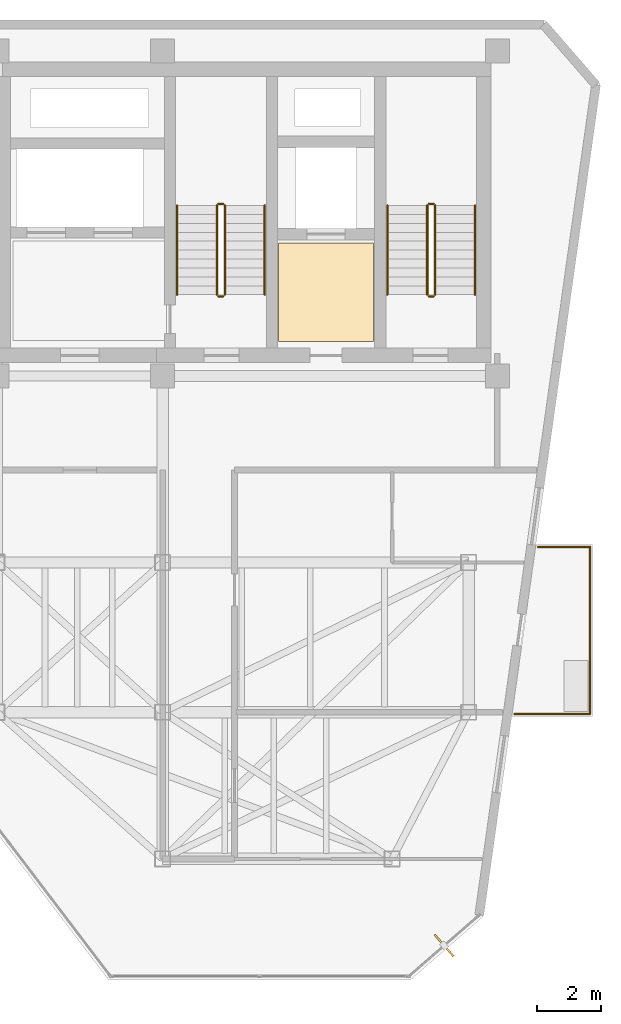
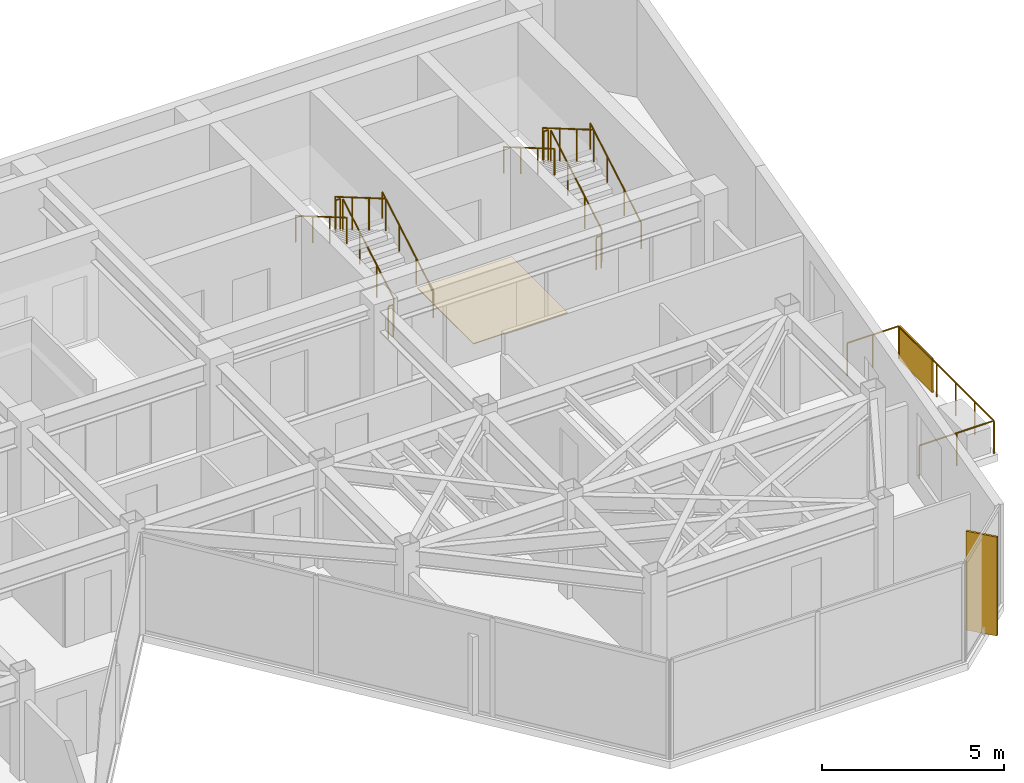
# One storey, part 19 of 19: 15 railings, 2 shading devices, 1 covering.
"""IFC4 building model written with IfcOpenShell, lengths in metres."""

from ifc_helpers import new_model, si_unit, direction, frame, origin, origin_2d, place, context, subcontext, project, spatial, polyline, rectangle, circle, outline, extrude, material, layer, layer_set, type_object, element, save


model = new_model("IFC4")

# Units and contexts
model_context = context("Model", 3, precision=1e-05, world=origin(), true_north=direction((0.0, 1.0)))
body_context = subcontext(model_context, "Body", "Model", "MODEL_VIEW")
ifc_project = project(units=[si_unit("LENGTHUNIT", "METRE"), si_unit("AREAUNIT", "SQUARE_METRE"), si_unit("VOLUMEUNIT", "CUBIC_METRE"), si_unit("PLANEANGLEUNIT", "RADIAN"), si_unit("MASSUNIT", "GRAM", prefix="KILO")], contexts=[model_context])

# Site, building, storey
site_placement = place(None, origin())
site = spatial("IfcSite", under=ifc_project, at=site_placement, CompositionType="ELEMENT")
building_placement = place(site_placement, origin())
building = spatial("IfcBuilding", under=site, at=building_placement, Name="Kravanh Interchange Tower", CompositionType="ELEMENT")
storey_placement = place(building_placement, frame((0.0, 0.0, 274.199951171875)))
storey = spatial("IfcBuildingStorey", under=building, at=storey_placement, Name="L67", CompositionType="ELEMENT", Elevation=274.199951171875)

# Covering
ifc_material_1 = material(Name="Cementitious Terrazzo Tile")
ifc_layer_1 = layer(ifc_material_1, 0.030029296875)
ifc_layer_set_1 = layer_set([ifc_layer_1], Name="Honed Terrazzo Lobby Flooring 30mm")
covering_type = type_object("IfcCoveringType", Name="Honed Terrazzo Lobby Flooring 30mm", PredefinedType="FLOORING", material=ifc_layer_set_1)
covering_placement = place(storey_placement, origin())
element("IfcCovering", 1, at=covering_placement, inside=storey, type_object=covering_type, Name="L67 Service Lift Lobby Floor Finish", PredefinedType="FLOORING", context=body_context, shape_type="SweptSolid", body=[
    extrude(outline(polyline([(59.6298828125, 41.52001953125), (62.6201171875, 41.52001953125), (62.6201171875, 38.429931640625), (59.6298828125, 38.429931640625), (59.6298828125, 41.52001953125)])), origin(), (0.0, 0.0, 1.0), 0.030029296875),
])

# Shading device
ifc_material_2 = material(Name="Perforated Anodised Bronze Aluminium", Category="aluminium")
ifc_layer_2 = layer(ifc_material_2, 0.0400390625)
ifc_layer_set_2 = layer_set([ifc_layer_2], Name="Perforated Bronze Balcony Privacy Screen 1150mm")
shading_device_type_1 = type_object("IfcShadingDeviceType", Name="Perforated Bronze Balcony Privacy Screen 1150mm", PredefinedType="USERDEFINED", material=ifc_layer_set_2)
shading_device_1_placement = place(storey_placement, frame((69.409912109375, 31.02001953125, 0.0), z_axis=(0.0, 0.0, 1.0), x_axis=(1.0, 0.0, 0.0)))
element("IfcShadingDevice", 2, at=shading_device_1_placement, inside=storey, type_object=shading_device_type_1, Name="L67 E Perforated Bronze BALCONY SCREEN", ObjectType="SCREEN", PredefinedType="USERDEFINED", context=body_context, shape_type="SweptSolid", body=[
    extrude(rectangle(XDim=0.0400390625, YDim=1.800048828125, at=origin_2d()), origin(), (0.0, 0.0, 1.0), 1.14990234375),
])

# Railings
ifc_material_3 = material(Name="Stainless Steel 316", Category="steel")
ifc_layer_3 = layer(ifc_material_3, 0.06005859375)
ifc_layer_set_3 = layer_set([ifc_layer_3], Name="Perimeter Balcony and Terrace Guardrail Stainless 316 1120mm")
railing_type_1 = type_object("IfcRailingType", Name="Perimeter Balcony and Terrace Guardrail Stainless 316 1120mm", PredefinedType="GUARDRAIL", material=ifc_layer_set_3)
railing_1_placement = place(storey_placement, frame((69.409912109375, 31.989990234375, 0.0)))
element("IfcRailing", 3, at=railing_1_placement, inside=storey, type_object=railing_type_1, Name="L67 E Balcony Guardrail 1", PredefinedType="GUARDRAIL", context=body_context, shape_type="SweptSolid", body=[
    extrude(circle(Radius=0.02392578125, at=origin_2d()), frame((0.0, 0.0, 1.09619140625), z_axis=(0.0, -1.0, 0.0), x_axis=(1.0, 0.0, 0.0)), (0.0, 0.0, 1.0), 5.239990234375),
    extrude(circle(Radius=0.02099609375, at=origin_2d()), origin(), (0.0, 0.0, 1.0), 1.072021484375),
    extrude(circle(Radius=0.02099609375, at=origin_2d()), frame((0.0, -1.048095703125, 0.0)), (0.0, 0.0, 1.0), 1.072021484375),
    extrude(circle(Radius=0.02099609375, at=origin_2d()), frame((0.0, -2.095947265625, 0.0)), (0.0, 0.0, 1.0), 1.072021484375),
    extrude(circle(Radius=0.02099609375, at=origin_2d()), frame((0.0, -3.14404296875, 0.0)), (0.0, 0.0, 1.0), 1.072021484375),
    extrude(circle(Radius=0.02099609375, at=origin_2d()), frame((0.0, -4.19189453125, 0.0)), (0.0, 0.0, 1.0), 1.072021484375),
    extrude(circle(Radius=0.02099609375, at=origin_2d()), frame((0.0, -5.239990234375, 0.0)), (0.0, 0.0, 1.0), 1.072021484375),
])
railing_2_placement = place(storey_placement, frame((69.409912109375, 26.75, 0.0)))
element("IfcRailing", 4, at=railing_2_placement, inside=storey, type_object=railing_type_1, Name="L67 E Balcony Guardrail 2", PredefinedType="GUARDRAIL", context=body_context, shape_type="SweptSolid", body=[
    extrude(circle(Radius=0.02392578125, at=origin_2d()), frame((0.0, 0.0, 1.09619140625), z_axis=(-1.0, 0.0, 0.0), x_axis=(0.0, -1.0, 0.0)), (0.0, 0.0, 1.0), 2.37060546875),
    extrude(circle(Radius=0.02099609375, at=origin_2d()), origin(), (0.0, 0.0, 1.0), 1.072021484375),
    extrude(circle(Radius=0.02099609375, at=origin_2d()), frame((-1.185302734375, 0.0, 0.0)), (0.0, 0.0, 1.0), 1.072021484375),
    extrude(circle(Radius=0.02099609375, at=origin_2d()), frame((-2.37060546875, 0.0, 0.0)), (0.0, 0.0, 1.0), 1.072021484375),
])
railing_3_placement = place(storey_placement, frame((67.775634765625, 31.989990234375, 0.0)))
element("IfcRailing", 5, at=railing_3_placement, inside=storey, type_object=railing_type_1, Name="L67 E Balcony Guardrail 3", PredefinedType="GUARDRAIL", context=body_context, shape_type="SweptSolid", body=[
    extrude(circle(Radius=0.02392578125, at=origin_2d()), frame((0.0, 0.0, 1.09619140625), z_axis=(1.0, 0.0, 0.0), x_axis=(0.0, 1.0, 0.0)), (0.0, 0.0, 1.0), 1.63427734375),
    extrude(circle(Radius=0.02099609375, at=origin_2d()), origin(), (0.0, 0.0, 1.0), 1.072021484375),
    extrude(circle(Radius=0.02099609375, at=origin_2d()), frame((0.817138671875, 0.0, 0.0)), (0.0, 0.0, 1.0), 1.072021484375),
    extrude(circle(Radius=0.02099609375, at=origin_2d()), frame((1.63427734375, 0.0, 0.0)), (0.0, 0.0, 1.0), 1.072021484375),
])
ifc_material_4 = material(Name="Structural Steel S355", Category="steel")
ifc_layer_4 = layer(ifc_material_4, 0.050048828125)
ifc_layer_set_4 = layer_set([ifc_layer_4], Name="Stair Well Guardrail Structural Steel S355 1100mm")
railing_type_2 = type_object("IfcRailingType", Name="Stair Well Guardrail Structural Steel S355 1100mm", PredefinedType="GUARDRAIL", material=ifc_layer_set_4)
railing_4_placement = place(storey_placement, frame((64.550048828125, 39.89990234375, 0.16357421875)))
element("IfcRailing", 6, at=railing_4_placement, inside=storey, type_object=railing_type_2, Name="L67 ST1 stair guard 1", PredefinedType="GUARDRAIL", context=body_context, shape_type="SweptSolid", body=[
    extrude(circle(Radius=0.02392578125, at=origin_2d()), frame((0.0, 0.0, 1.076171875), z_axis=(0.0, 0.863360870873, 0.504586966384), x_axis=(-1.0, 0.0, 0.0)), (0.0, 0.0, 1.0), 3.2431640625),
    extrude(circle(Radius=0.02099609375, at=origin_2d()), origin(), (0.0, 0.0, 1.0), 1.052001953125),
    extrude(circle(Radius=0.02099609375, at=origin_2d()), frame((0.0, 0.933349609375, 0.54541015625)), (0.0, 0.0, 1.0), 1.052001953125),
    extrude(circle(Radius=0.02099609375, at=origin_2d()), frame((0.0, 1.86669921875, 1.091064453125)), (0.0, 0.0, 1.0), 1.052001953125),
    extrude(circle(Radius=0.02099609375, at=origin_2d()), frame((0.0, 2.800048828125, 1.636474609375)), (0.0, 0.0, 1.0), 1.052001953125),
])
railing_5_placement = place(storey_placement, frame((64.5, 42.75, 1.800048828125)))
element("IfcRailing", 7, at=railing_5_placement, inside=storey, type_object=railing_type_2, Name="L67 ST1 stair guard 2", PredefinedType="GUARDRAIL", context=body_context, shape_type="SweptSolid", body=[
    extrude(circle(Radius=0.02392578125, at=origin_2d()), frame((0.0, 0.0, 1.076171875), z_axis=(-1.0, 0.0, 0.0), x_axis=(0.0, -1.0, 0.0)), (0.0, 0.0, 1.0), 0.14990234375),
    extrude(circle(Radius=0.02099609375, at=origin_2d()), origin(), (0.0, 0.0, 1.0), 1.052001953125),
    extrude(circle(Radius=0.02099609375, at=origin_2d()), frame((-0.14990234375, 0.0, 0.0)), (0.0, 0.0, 1.0), 1.052001953125),
])
railing_6_placement = place(storey_placement, frame((64.300048828125, 42.699951171875, 1.963623046875)))
element("IfcRailing", 8, at=railing_6_placement, inside=storey, type_object=railing_type_2, Name="L67 ST1 stair guard 3", PredefinedType="GUARDRAIL", context=body_context, shape_type="SweptSolid", body=[
    extrude(circle(Radius=0.02392578125, at=origin_2d()), frame((0.0, 0.0, 1.076171875), z_axis=(0.0, -0.863360870873, 0.504586966384), x_axis=(1.0, 0.0, 0.0)), (0.0, 0.0, 1.0), 3.2431640625),
    extrude(circle(Radius=0.02099609375, at=origin_2d()), origin(), (0.0, 0.0, 1.0), 1.052001953125),
    extrude(circle(Radius=0.02099609375, at=origin_2d()), frame((0.0, -0.933349609375, 0.54541015625)), (0.0, 0.0, 1.0), 1.052001953125),
    extrude(circle(Radius=0.02099609375, at=origin_2d()), frame((0.0, -1.86669921875, 1.091064453125)), (0.0, 0.0, 1.0), 1.052001953125),
    extrude(circle(Radius=0.02099609375, at=origin_2d()), frame((0.0, -2.800048828125, 1.636474609375)), (0.0, 0.0, 1.0), 1.052001953125),
])
railing_7_placement = place(storey_placement, frame((64.5, 39.85009765625, 0.0)))
element("IfcRailing", 9, at=railing_7_placement, inside=storey, type_object=railing_type_2, Name="L67 ST1 stair guard 4", PredefinedType="GUARDRAIL", context=body_context, shape_type="SweptSolid", body=[
    extrude(circle(Radius=0.02392578125, at=origin_2d()), frame((0.0, 0.0, 1.076171875), z_axis=(-1.0, 0.0, 0.0), x_axis=(0.0, -1.0, 0.0)), (0.0, 0.0, 1.0), 0.14990234375),
    extrude(circle(Radius=0.02099609375, at=origin_2d()), origin(), (0.0, 0.0, 1.0), 1.052001953125),
    extrude(circle(Radius=0.02099609375, at=origin_2d()), frame((-0.14990234375, 0.0, 0.0)), (0.0, 0.0, 1.0), 1.052001953125),
])
railing_8_placement = place(storey_placement, frame((57.949951171875, 39.89990234375, 0.16357421875)))
element("IfcRailing", 10, at=railing_8_placement, inside=storey, type_object=railing_type_2, Name="L67 ST2 stair guard 1", PredefinedType="GUARDRAIL", context=body_context, shape_type="SweptSolid", body=[
    extrude(circle(Radius=0.02392578125, at=origin_2d()), frame((0.0, 0.0, 1.076171875), z_axis=(0.0, 0.863360870873, 0.504586966384), x_axis=(-1.0, 0.0, 0.0)), (0.0, 0.0, 1.0), 3.2431640625),
    extrude(circle(Radius=0.02099609375, at=origin_2d()), origin(), (0.0, 0.0, 1.0), 1.052001953125),
    extrude(circle(Radius=0.02099609375, at=origin_2d()), frame((0.0, 0.933349609375, 0.54541015625)), (0.0, 0.0, 1.0), 1.052001953125),
    extrude(circle(Radius=0.02099609375, at=origin_2d()), frame((0.0, 1.86669921875, 1.091064453125)), (0.0, 0.0, 1.0), 1.052001953125),
    extrude(circle(Radius=0.02099609375, at=origin_2d()), frame((0.0, 2.800048828125, 1.636474609375)), (0.0, 0.0, 1.0), 1.052001953125),
])
railing_9_placement = place(storey_placement, frame((57.89990234375, 42.75, 1.800048828125)))
element("IfcRailing", 11, at=railing_9_placement, inside=storey, type_object=railing_type_2, Name="L67 ST2 stair guard 2", PredefinedType="GUARDRAIL", context=body_context, shape_type="SweptSolid", body=[
    extrude(circle(Radius=0.02392578125, at=origin_2d()), frame((0.0, 0.0, 1.076171875), z_axis=(-1.0, 0.0, 0.0), x_axis=(0.0, -1.0, 0.0)), (0.0, 0.0, 1.0), 0.14990234375),
    extrude(circle(Radius=0.02099609375, at=origin_2d()), origin(), (0.0, 0.0, 1.0), 1.052001953125),
    extrude(circle(Radius=0.02099609375, at=origin_2d()), frame((-0.14990234375, 0.0, 0.0)), (0.0, 0.0, 1.0), 1.052001953125),
])
railing_10_placement = place(storey_placement, frame((57.699951171875, 42.699951171875, 1.963623046875)))
element("IfcRailing", 12, at=railing_10_placement, inside=storey, type_object=railing_type_2, Name="L67 ST2 stair guard 3", PredefinedType="GUARDRAIL", context=body_context, shape_type="SweptSolid", body=[
    extrude(circle(Radius=0.02392578125, at=origin_2d()), frame((0.0, 0.0, 1.076171875), z_axis=(0.0, -0.863360870873, 0.504586966384), x_axis=(1.0, 0.0, 0.0)), (0.0, 0.0, 1.0), 3.2431640625),
    extrude(circle(Radius=0.02099609375, at=origin_2d()), origin(), (0.0, 0.0, 1.0), 1.052001953125),
    extrude(circle(Radius=0.02099609375, at=origin_2d()), frame((0.0, -0.933349609375, 0.54541015625)), (0.0, 0.0, 1.0), 1.052001953125),
    extrude(circle(Radius=0.02099609375, at=origin_2d()), frame((0.0, -1.86669921875, 1.091064453125)), (0.0, 0.0, 1.0), 1.052001953125),
    extrude(circle(Radius=0.02099609375, at=origin_2d()), frame((0.0, -2.800048828125, 1.636474609375)), (0.0, 0.0, 1.0), 1.052001953125),
])
railing_11_placement = place(storey_placement, frame((57.89990234375, 39.85009765625, 0.0)))
element("IfcRailing", 13, at=railing_11_placement, inside=storey, type_object=railing_type_2, Name="L67 ST2 stair guard 4", PredefinedType="GUARDRAIL", context=body_context, shape_type="SweptSolid", body=[
    extrude(circle(Radius=0.02392578125, at=origin_2d()), frame((0.0, 0.0, 1.076171875), z_axis=(-1.0, 0.0, 0.0), x_axis=(0.0, -1.0, 0.0)), (0.0, 0.0, 1.0), 0.14990234375),
    extrude(circle(Radius=0.02099609375, at=origin_2d()), origin(), (0.0, 0.0, 1.0), 1.052001953125),
    extrude(circle(Radius=0.02099609375, at=origin_2d()), frame((-0.14990234375, 0.0, 0.0)), (0.0, 0.0, 1.0), 1.052001953125),
])
ifc_material_5 = material(Name="Stainless Steel 304", Category="steel")
ifc_layer_5 = layer(ifc_material_5, 0.044921875)
ifc_layer_set_5 = layer_set([ifc_layer_5], Name="Tubular Stair Handrail Stainless 304 900mm")
railing_type_3 = type_object("IfcRailingType", Name="Tubular Stair Handrail Stainless 304 900mm", PredefinedType="HANDRAIL", material=ifc_layer_set_5)
railing_12_placement = place(storey_placement, frame((65.800048828125, 39.89990234375, 0.16357421875)))
element("IfcRailing", 14, at=railing_12_placement, inside=storey, type_object=railing_type_3, Name="L67 ST1 stair handrail 1", PredefinedType="HANDRAIL", context=body_context, shape_type="SweptSolid", body=[
    extrude(circle(Radius=0.02392578125, at=origin_2d()), frame((0.0, 0.0, 0.8759765625), z_axis=(0.0, 0.863360870873, 0.504586966384), x_axis=(-1.0, 0.0, 0.0)), (0.0, 0.0, 1.0), 3.2431640625),
    extrude(circle(Radius=0.02099609375, at=origin_2d()), origin(), (0.0, 0.0, 1.0), 0.851806640625),
    extrude(circle(Radius=0.02099609375, at=origin_2d()), frame((0.0, 0.933349609375, 0.54541015625)), (0.0, 0.0, 1.0), 0.851806640625),
    extrude(circle(Radius=0.02099609375, at=origin_2d()), frame((0.0, 1.86669921875, 1.091064453125)), (0.0, 0.0, 1.0), 0.851806640625),
    extrude(circle(Radius=0.02099609375, at=origin_2d()), frame((0.0, 2.800048828125, 1.636474609375)), (0.0, 0.0, 1.0), 0.851806640625),
])
railing_13_placement = place(storey_placement, frame((63.050048828125, 42.699951171875, 1.963623046875)))
element("IfcRailing", 15, at=railing_13_placement, inside=storey, type_object=railing_type_3, Name="L67 ST1 stair handrail 2", PredefinedType="HANDRAIL", context=body_context, shape_type="SweptSolid", body=[
    extrude(circle(Radius=0.02392578125, at=origin_2d()), frame((0.0, 0.0, 0.8759765625), z_axis=(0.0, -0.863360870873, 0.504586966384), x_axis=(1.0, 0.0, 0.0)), (0.0, 0.0, 1.0), 3.2431640625),
    extrude(circle(Radius=0.02099609375, at=origin_2d()), origin(), (0.0, 0.0, 1.0), 0.851806640625),
    extrude(circle(Radius=0.02099609375, at=origin_2d()), frame((0.0, -0.933349609375, 0.54541015625)), (0.0, 0.0, 1.0), 0.851806640625),
    extrude(circle(Radius=0.02099609375, at=origin_2d()), frame((0.0, -1.86669921875, 1.091064453125)), (0.0, 0.0, 1.0), 0.851806640625),
    extrude(circle(Radius=0.02099609375, at=origin_2d()), frame((0.0, -2.800048828125, 1.636474609375)), (0.0, 0.0, 1.0), 0.851806640625),
])
railing_14_placement = place(storey_placement, frame((59.199951171875, 39.89990234375, 0.16357421875)))
element("IfcRailing", 16, at=railing_14_placement, inside=storey, type_object=railing_type_3, Name="L67 ST2 stair handrail 1", PredefinedType="HANDRAIL", context=body_context, shape_type="SweptSolid", body=[
    extrude(circle(Radius=0.02392578125, at=origin_2d()), frame((0.0, 0.0, 0.8759765625), z_axis=(0.0, 0.863360870873, 0.504586966384), x_axis=(-1.0, 0.0, 0.0)), (0.0, 0.0, 1.0), 3.2431640625),
    extrude(circle(Radius=0.02099609375, at=origin_2d()), origin(), (0.0, 0.0, 1.0), 0.851806640625),
    extrude(circle(Radius=0.02099609375, at=origin_2d()), frame((0.0, 0.933349609375, 0.54541015625)), (0.0, 0.0, 1.0), 0.851806640625),
    extrude(circle(Radius=0.02099609375, at=origin_2d()), frame((0.0, 1.86669921875, 1.091064453125)), (0.0, 0.0, 1.0), 0.851806640625),
    extrude(circle(Radius=0.02099609375, at=origin_2d()), frame((0.0, 2.800048828125, 1.636474609375)), (0.0, 0.0, 1.0), 0.851806640625),
])
railing_15_placement = place(storey_placement, frame((56.449951171875, 42.699951171875, 1.963623046875)))
element("IfcRailing", 17, at=railing_15_placement, inside=storey, type_object=railing_type_3, Name="L67 ST2 stair handrail 2", PredefinedType="HANDRAIL", context=body_context, shape_type="SweptSolid", body=[
    extrude(circle(Radius=0.02392578125, at=origin_2d()), frame((0.0, 0.0, 0.8759765625), z_axis=(0.0, -0.863360870873, 0.504586966384), x_axis=(1.0, 0.0, 0.0)), (0.0, 0.0, 1.0), 3.2431640625),
    extrude(circle(Radius=0.02099609375, at=origin_2d()), origin(), (0.0, 0.0, 1.0), 0.851806640625),
    extrude(circle(Radius=0.02099609375, at=origin_2d()), frame((0.0, -0.933349609375, 0.54541015625)), (0.0, 0.0, 1.0), 0.851806640625),
    extrude(circle(Radius=0.02099609375, at=origin_2d()), frame((0.0, -1.86669921875, 1.091064453125)), (0.0, 0.0, 1.0), 0.851806640625),
    extrude(circle(Radius=0.02099609375, at=origin_2d()), frame((0.0, -2.800048828125, 1.636474609375)), (0.0, 0.0, 1.0), 0.851806640625),
])

# Shading device
ifc_material_6 = material(Name="Anodised Champagne Bronze Aluminium", Category="aluminium")
ifc_layer_6 = layer(ifc_material_6, 0.06005859375)
ifc_layer_set_6 = layer_set([ifc_layer_6], Name="Vertical Bronze Solar Fin 900mm")
shading_device_type_2 = type_object("IfcShadingDeviceType", Name="Vertical Bronze Solar Fin 900mm", PredefinedType="USERDEFINED", material=ifc_layer_set_6)
shading_device_2_placement = place(storey_placement, frame((64.830078125, 19.480712890625, 0.0), z_axis=(0.0, 0.0, 1.0), x_axis=(0.656043386928, -0.754723177376, 0.0)))
element("IfcShadingDevice", 18, at=shading_device_2_placement, inside=storey, type_object=shading_device_type_2, Name="L67 BRONZE SOLAR FIN 2", ObjectType="FIN", PredefinedType="USERDEFINED", context=body_context, shape_type="SweptSolid", body=[
    extrude(rectangle(XDim=0.89990234375, YDim=0.06005859375, at=origin_2d()), origin(), (0.0, 0.0, 1.0), 3.320068359375),
])

save(model, "model.ifc")
